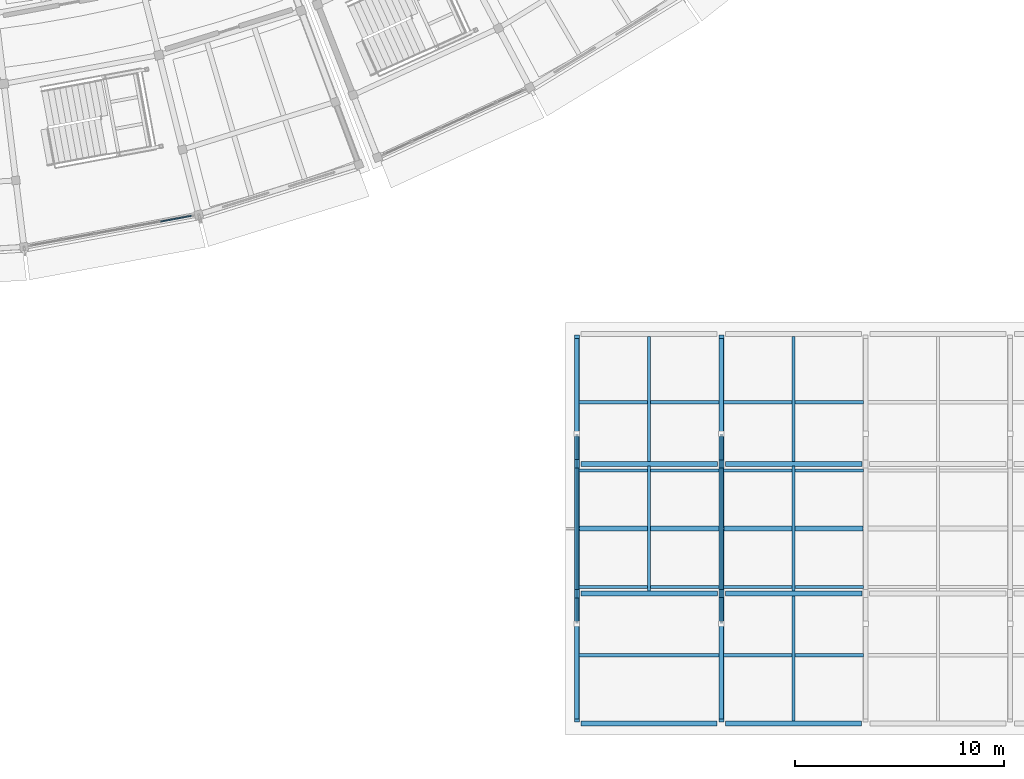
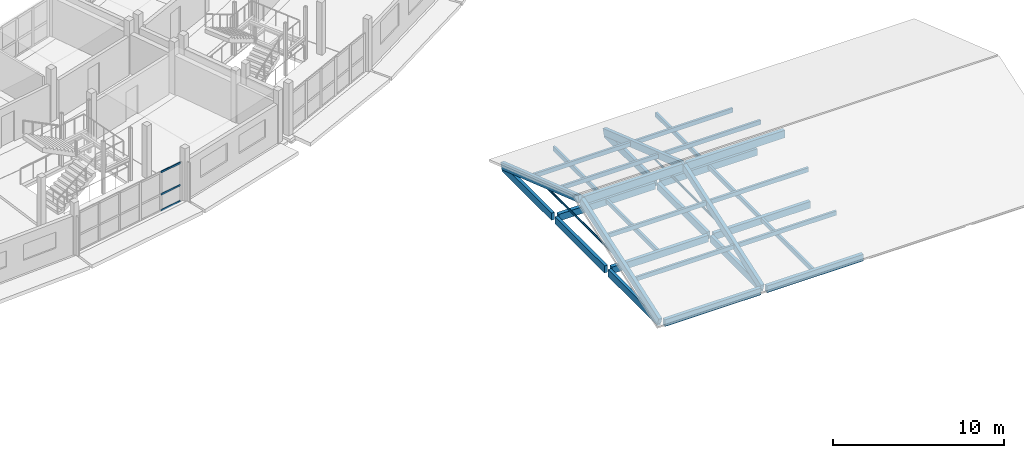
# One storey, part 23 of 66: 19 beams, 17 members, 1 element without a shape of its own.
"""IFC4 building model written with IfcOpenShell, lengths in metres."""

from ifc_helpers import new_model, si_unit, direction, frame, origin, origin_2d, place, context, subcontext, project, spatial, rectangle, hollow_circle, extrude, material, layer, layer_set, material_profile, profile_set, type_object, element, aggregate, save


model = new_model("IFC4")

# Units and contexts
model_context = context("Model", 3, precision=1e-05, world=origin(), true_north=direction((0.0, 1.0)))
body_context = subcontext(model_context, "Body", "Model", "MODEL_VIEW")
ifc_project = project(units=[si_unit("LENGTHUNIT", "METRE"), si_unit("AREAUNIT", "SQUARE_METRE"), si_unit("VOLUMEUNIT", "CUBIC_METRE"), si_unit("PLANEANGLEUNIT", "RADIAN"), si_unit("MASSUNIT", "GRAM", prefix="KILO")], contexts=[model_context])

# Site, building, storey
site_placement = place(None, origin())
site = spatial("IfcSite", under=ifc_project, at=site_placement, CompositionType="ELEMENT")
building_placement = place(site_placement, origin())
building = spatial("IfcBuilding", under=site, at=building_placement, Name="Caldaven Crescent School", CompositionType="ELEMENT")
storey_placement = place(building_placement, frame((0.0, 0.0, 8.159912109375)))
storey = spatial("IfcBuildingStorey", under=building, at=storey_placement, Name="L02", CompositionType="ELEMENT", Elevation=8.159912109375)

# Beams
ifc_material_1 = material(Name="Glulam MLE24h (GL28h)", Category="wood")
ifc_material_profile_1 = material_profile(ifc_material_1, rectangle(XDim=0.2099609375, YDim=0.510009765625, at=origin_2d()), Name="MLE 210x510")
ifc_profile_set_1 = profile_set([ifc_material_profile_1], Name="Glulam MLE24h (GL28h)")
beam_type_1 = type_object("IfcBeamType", Name="BM-GL51", PredefinedType="BEAM", material=ifc_profile_set_1)
for number, where, z_axis, x_axis, name in (
    (1, (122.89990234375, 4.405029296875, -0.474853515625), (0.0, 1.0, 0.0), (-1.0, 0.0, 0.0), "BMY-V3-L02-0520"),
    (2, (122.89990234375, 10.60498046875, -0.474853515625), (0.0, 1.0, 0.0), (-1.0, 0.0, 0.0), "BMY-V3-L02-0521"),
    (3, (122.89990234375, 16.804931640625, -0.474853515625), (0.0, 1.0, 0.0), (-1.0, 0.0, 0.0), "BMY-V3-L02-0522"),
):
    element("IfcBeam", number, at=place(storey_placement, frame(where, z_axis=z_axis, x_axis=x_axis)), inside=storey, type_object=beam_type_1, Name=name, PredefinedType="BEAM", context=body_context, shape_type="SweptSolid", body=[
        extrude(rectangle(XDim=0.2099609375, YDim=0.510009765625, at=origin_2d()), origin(), (0.0, 0.0, 1.0), 5.7900390625),
    ])
beam_1_placement = place(storey_placement, frame((129.800048828125, 4.405029296875, -0.474853515625), z_axis=(0.0, 1.0, 0.0), x_axis=(-1.0, 0.0, 0.0)))
element("IfcBeam", 4, at=beam_1_placement, inside=storey, type_object=beam_type_1, Name="BMY-V3-L02-0523", PredefinedType="BEAM", context=body_context, shape_type="SweptSolid", body=[
    extrude(rectangle(XDim=0.2099609375, YDim=0.510009765625, at=origin_2d()), origin(), (0.0, 0.0, 1.0), 5.804931640625),
])
beam_2_placement = place(storey_placement, frame((129.800048828125, 10.590087890625, -0.474853515625), z_axis=(0.0, 1.0, 0.0), x_axis=(-1.0, 0.0, 0.0)))
element("IfcBeam", 5, at=beam_2_placement, inside=storey, type_object=beam_type_1, Name="BMY-V3-L02-0524", PredefinedType="BEAM", context=body_context, shape_type="SweptSolid", body=[
    extrude(rectangle(XDim=0.2099609375, YDim=0.510009765625, at=origin_2d()), origin(), (0.0, 0.0, 1.0), 5.81982421875),
])
beam_3_placement = place(storey_placement, frame((129.800048828125, 16.7900390625, -0.474853515625), z_axis=(0.0, 1.0, 0.0), x_axis=(-1.0, 0.0, 0.0)))
element("IfcBeam", 6, at=beam_3_placement, inside=storey, type_object=beam_type_1, Name="BMY-V3-L02-0525", PredefinedType="BEAM", context=body_context, shape_type="SweptSolid", body=[
    extrude(rectangle(XDim=0.2099609375, YDim=0.510009765625, at=origin_2d()), origin(), (0.0, 0.0, 1.0), 5.804931640625),
])
ifc_material_profile_2 = material_profile(ifc_material_1, rectangle(XDim=0.239990234375, YDim=0.5400390625, at=origin_2d()), Name="MLE 240x540")
ifc_profile_set_2 = profile_set([ifc_material_profile_2], Name="Glulam MLE24h (GL28h)")
beam_type_2 = type_object("IfcBeamType", Name="BM-GL54", PredefinedType="BEAM", material=ifc_profile_set_2)
beam_4_placement = place(storey_placement, frame((123.02001953125, 13.5, 2.690185546875), z_axis=(1.0, 0.0, 0.0), x_axis=(0.0, 1.0, 0.0)))
element("IfcBeam", 7, at=beam_4_placement, inside=storey, type_object=beam_type_2, Name="RDG-V3-L02-0715", PredefinedType="BEAM", context=body_context, shape_type="SweptSolid", body=[
    extrude(rectangle(XDim=0.239990234375, YDim=0.5400390625, at=origin_2d()), origin(), (0.0, 0.0, 1.0), 6.659912109375),
])
beam_5_placement = place(storey_placement, frame((129.919921875, 13.5, 2.690185546875), z_axis=(1.0, 0.0, 0.0), x_axis=(0.0, 1.0, 0.0)))
element("IfcBeam", 8, at=beam_5_placement, inside=storey, type_object=beam_type_2, Name="RDG-V3-L02-0716", PredefinedType="BEAM", context=body_context, shape_type="SweptSolid", body=[
    extrude(rectangle(XDim=0.239990234375, YDim=0.5400390625, at=origin_2d()), origin(), (0.0, 0.0, 1.0), 6.66015625),
])

# Members
ifc_material_2 = material(Name="Steel ASTM A572 Grade 50", Category="steel")
ifc_material_profile_3 = material_profile(ifc_material_2, hollow_circle(Radius=0.06982421875, WallThickness=0.010009765625, at=origin_2d()), Name="CHS 139.7x10.0")
ifc_profile_set_3 = profile_set([ifc_material_profile_3], Name="Steel ASTM A572 Grade 50")
member_type_1 = type_object("IfcMemberType", Name="BR-CH14", PredefinedType="BRACE", material=ifc_profile_set_3)
for number, where, z_axis, x_axis, name in (
    (9, (122.89990234375, 8.969970703125, 1.16015625), (0.0, 1.0, 0.0), (-1.0, 0.0, 0.0), "TIE-V3-0"),
    (10, (129.800048828125, 8.969970703125, 1.16015625), (0.0, 1.0, 0.0), (-1.0, 0.0, 0.0), "TIE-V3-1"),
):
    element("IfcMember", number, at=place(storey_placement, frame(where, z_axis=z_axis, x_axis=x_axis)), inside=storey, type_object=member_type_1, Name=name, PredefinedType="BRACE", context=body_context, shape_type="SweptSolid", body=[
        extrude(hollow_circle(Radius=0.06982421875, WallThickness=0.010009765625, at=origin_2d()), origin(), (0.0, 0.0, 1.0), 9.06005859375),
    ])
ifc_material_profile_4 = material_profile(ifc_material_1, rectangle(XDim=0.239990234375, YDim=0.47998046875, at=origin_2d()), Name="MLE 240x480")
ifc_profile_set_4 = profile_set([ifc_material_profile_4], Name="Glulam MLE24h (GL28h)")
member_type_2 = type_object("IfcMemberType", Name="CH-GL48", PredefinedType="CHORD", material=ifc_profile_set_4)
for number, where, z_axis, x_axis, name in (
    (11, (122.89990234375, 4.332275390625, -0.394287109375), (0.0, 0.945593674135, 0.325349970702), (-1.0, 0.0, 0.0), "RAF-V3-0-S"),
    (12, (122.89990234375, 22.667724609375, -0.394287109375), (0.0, -0.945593674135, 0.325349970702), (1.0, 0.0, 0.0), "RAF-V3-0-N"),
    (13, (129.800048828125, 4.332275390625, -0.394287109375), (0.0, 0.945593674135, 0.325349970702), (-1.0, 0.0, 0.0), "RAF-V3-1-S"),
    (14, (129.800048828125, 22.667724609375, -0.394287109375), (0.0, -0.945593674135, 0.325349970702), (1.0, 0.0, 0.0), "RAF-V3-1-N"),
):
    element("IfcMember", number, at=place(storey_placement, frame(where, z_axis=z_axis, x_axis=x_axis)), inside=storey, type_object=member_type_2, Name=name, PredefinedType="CHORD", context=body_context, shape_type="SweptSolid", body=[
        extrude(rectangle(XDim=0.239990234375, YDim=0.47998046875, at=origin_2d()), origin(), (0.0, 0.0, 1.0), 9.59521484375),
    ])

# Curtain wall, members
ifc_material_3 = material(Name="Anodised aluminium AA 6063-T6 and low-E double glazing", Category="aluminium")
ifc_layer = layer(ifc_material_3, 0.169921875)
ifc_layer_set = layer_set([ifc_layer], Name="Anodised aluminium AA 6063-T6 and low-E double glazing")
curtain_wall_type = type_object("IfcCurtainWallType", Name="CW-SYS1", PredefinedType="NOTDEFINED", material=ifc_layer_set)
curtain_wall_placement = place(storey_placement, origin())
curtain_wall = element("IfcCurtainWall", 15, at=curtain_wall_placement, inside=storey, type_object=curtain_wall_type, Name="CW-L02-147", PredefinedType="NOTDEFINED")
ifc_material_4 = material(Name="Anodised aluminium AA 6063-T6", Category="aluminium")
ifc_material_profile_5 = material_profile(ifc_material_4, rectangle(XDim=0.06005859375, YDim=0.1201171875, at=origin_2d()), Name="CWT 60x120")
ifc_profile_set_5 = profile_set([ifc_material_profile_5], Name="Anodised aluminium AA 6063-T6")
member_type_3 = type_object("IfcMemberType", Name="CWT-T1", PredefinedType="USERDEFINED", material=ifc_profile_set_5)
member_1_placement = place(storey_placement, frame((103.00830078125, 28.17919921875, 0.030029296875), z_axis=(0.98325262173, 0.182247858315, 0.0), x_axis=(-0.182247858315, 0.98325262173, 0.0)))
member_1 = element("IfcMember", 16, at=member_1_placement, type_object=member_type_3, Name="CW1 transom 5.1", ObjectType="TRANSOM", PredefinedType="USERDEFINED", context=body_context, shape_type="SweptSolid", body=[
    extrude(rectangle(XDim=0.06005859375, YDim=0.1201171875, at=origin_2d()), origin(), (0.0, 0.0, 1.0), 1.48828125),
])
member_2_placement = place(storey_placement, frame((103.00830078125, 28.17919921875, 1.16796875), z_axis=(0.98325262173, 0.182247858315, 0.0), x_axis=(-0.182247858315, 0.98325262173, 0.0)))
member_2 = element("IfcMember", 17, at=member_2_placement, type_object=member_type_3, Name="CW1 transom 5.2", ObjectType="TRANSOM", PredefinedType="USERDEFINED", context=body_context, shape_type="SweptSolid", body=[
    extrude(rectangle(XDim=0.06005859375, YDim=0.1201171875, at=origin_2d()), origin(), (0.0, 0.0, 1.0), 1.48828125),
])
member_3_placement = place(storey_placement, frame((103.00830078125, 28.17919921875, 2.75), z_axis=(0.98325262173, 0.182247858315, 0.0), x_axis=(-0.182247858315, 0.98325262173, 0.0)))
member_3 = element("IfcMember", 18, at=member_3_placement, type_object=member_type_3, Name="CW1 transom 5.3", ObjectType="TRANSOM", PredefinedType="USERDEFINED", context=body_context, shape_type="SweptSolid", body=[
    extrude(rectangle(XDim=0.06005859375, YDim=0.1201171875, at=origin_2d()), origin(), (0.0, 0.0, 1.0), 1.48828125),
])
aggregate(curtain_wall, [member_1, member_2, member_3])

# Beams
ifc_material_profile_6 = material_profile(ifc_material_1, rectangle(XDim=0.14990234375, YDim=0.300048828125, at=origin_2d()), Name="MLE 150x300")
ifc_profile_set_6 = profile_set([ifc_material_profile_6], Name="Glulam MLE24h (GL28h)")
beam_type_3 = type_object("IfcBeamType", Name="JS-GL30", PredefinedType="JOIST", material=ifc_profile_set_6)
beam_6_placement = place(storey_placement, frame((126.35009765625, 10.514892578125, -0.369873046875), z_axis=(0.0, 1.0, 0.0), x_axis=(-1.0, 0.0, 0.0)))
element("IfcBeam", 19, at=beam_6_placement, inside=storey, type_object=beam_type_3, Name="JS-V3-L02-0535", PredefinedType="JOIST", context=body_context, shape_type="SweptSolid", body=[
    extrude(rectangle(XDim=0.14990234375, YDim=0.300048828125, at=origin_2d()), origin(), (0.0, 0.0, 1.0), 5.97021484375),
])
for number, where, z_axis, x_axis, name in (
    (20, (126.35009765625, 16.715087890625, -0.369873046875), (0.0, 1.0, 0.0), (-1.0, 0.0, 0.0), "JS-V3-L02-0536"),
    (21, (133.25, 4.31494140625, -0.369873046875), (0.0, 1.0, 0.0), (-1.0, 0.0, 0.0), "JS-V3-L02-0537"),
):
    element("IfcBeam", number, at=place(storey_placement, frame(where, z_axis=z_axis, x_axis=x_axis)), inside=storey, type_object=beam_type_3, Name=name, PredefinedType="JOIST", context=body_context, shape_type="SweptSolid", body=[
        extrude(rectangle(XDim=0.14990234375, YDim=0.300048828125, at=origin_2d()), origin(), (0.0, 0.0, 1.0), 5.969970703125),
    ])
beam_7_placement = place(storey_placement, frame((133.25, 10.514892578125, -0.369873046875), z_axis=(0.0, 1.0, 0.0), x_axis=(-1.0, 0.0, 0.0)))
element("IfcBeam", 22, at=beam_7_placement, inside=storey, type_object=beam_type_3, Name="JS-V3-L02-0538", PredefinedType="JOIST", context=body_context, shape_type="SweptSolid", body=[
    extrude(rectangle(XDim=0.14990234375, YDim=0.300048828125, at=origin_2d()), origin(), (0.0, 0.0, 1.0), 5.97021484375),
])
beam_8_placement = place(storey_placement, frame((133.25, 16.715087890625, -0.369873046875), z_axis=(0.0, 1.0, 0.0), x_axis=(-1.0, 0.0, 0.0)))
element("IfcBeam", 23, at=beam_8_placement, inside=storey, type_object=beam_type_3, Name="JS-V3-L02-0539", PredefinedType="JOIST", context=body_context, shape_type="SweptSolid", body=[
    extrude(rectangle(XDim=0.14990234375, YDim=0.300048828125, at=origin_2d()), origin(), (0.0, 0.0, 1.0), 5.969970703125),
])

# Members
ifc_material_profile_7 = material_profile(ifc_material_1, rectangle(XDim=0.14990234375, YDim=0.300048828125, at=origin_2d()), Name="MLE 150x300")
ifc_profile_set_7 = profile_set([ifc_material_profile_7], Name="Glulam MLE24h (GL28h)")
member_type_4 = type_object("IfcMemberType", Name="PR-GL30", PredefinedType="PURLIN", material=ifc_profile_set_7)
for number, where, z_axis, x_axis, name in (
    (24, (123.010009765625, 7.455078125, 0.68017578125), (1.0, 0.0, 0.0), (0.0, 1.0, 0.0), "PUR-V3-0--1-35"),
    (25, (123.010009765625, 19.544921875, 0.68017578125), (1.0, 0.0, 0.0), (0.0, 1.0, 0.0), "PUR-V3-0-1-35"),
    (26, (123.010009765625, 10.7099609375, 1.800048828125), (1.0, 0.0, 0.0), (0.0, 1.0, 0.0), "PUR-V3-0--1-70"),
    (27, (123.010009765625, 16.2900390625, 1.800048828125), (1.0, 0.0, 0.0), (0.0, 1.0, 0.0), "PUR-V3-0-1-70"),
):
    element("IfcMember", number, at=place(storey_placement, frame(where, z_axis=z_axis, x_axis=x_axis)), inside=storey, type_object=member_type_4, Name=name, PredefinedType="PURLIN", context=body_context, shape_type="SweptSolid", body=[
        extrude(rectangle(XDim=0.14990234375, YDim=0.300048828125, at=origin_2d()), origin(), (0.0, 0.0, 1.0), 6.679931640625),
    ])
for number, where, z_axis, x_axis, name in (
    (28, (129.909912109375, 7.455078125, 0.68017578125), (1.0, 0.0, 0.0), (0.0, 1.0, 0.0), "PUR-V3-1--1-35"),
    (29, (129.909912109375, 19.544921875, 0.68017578125), (1.0, 0.0, 0.0), (0.0, 1.0, 0.0), "PUR-V3-1-1-35"),
    (30, (129.909912109375, 10.7099609375, 1.800048828125), (1.0, 0.0, 0.0), (0.0, 1.0, 0.0), "PUR-V3-1--1-70"),
    (31, (129.909912109375, 16.2900390625, 1.800048828125), (1.0, 0.0, 0.0), (0.0, 1.0, 0.0), "PUR-V3-1-1-70"),
):
    element("IfcMember", number, at=place(storey_placement, frame(where, z_axis=z_axis, x_axis=x_axis)), inside=storey, type_object=member_type_4, Name=name, PredefinedType="PURLIN", context=body_context, shape_type="SweptSolid", body=[
        extrude(rectangle(XDim=0.14990234375, YDim=0.300048828125, at=origin_2d()), origin(), (0.0, 0.0, 1.0), 6.68017578125),
    ])

# Beams
ifc_material_profile_8 = material_profile(ifc_material_1, rectangle(XDim=0.239990234375, YDim=0.47998046875, at=origin_2d()), Name="MLE 240x480")
ifc_profile_set_8 = profile_set([ifc_material_profile_8], Name="Glulam MLE24h (GL28h)")
beam_type_4 = type_object("IfcBeamType", Name="SP-GL48", PredefinedType="SPANDREL", material=ifc_profile_set_8)
beam_9_placement = place(storey_placement, frame((123.10498046875, 4.199951171875, -0.4599609375), z_axis=(1.0, 0.0, 0.0), x_axis=(0.0, 1.0, 0.0)))
element("IfcBeam", 32, at=beam_9_placement, inside=storey, type_object=beam_type_4, Name="BMX-V3-L02-0504", PredefinedType="SPANDREL", context=body_context, shape_type="SweptSolid", body=[
    extrude(rectangle(XDim=0.239990234375, YDim=0.47998046875, at=origin_2d()), origin(), (0.0, 0.0, 1.0), 6.489990234375),
])
beam_10_placement = place(storey_placement, frame((130.0048828125, 4.199951171875, -0.4599609375), z_axis=(1.0, 0.0, 0.0), x_axis=(0.0, 1.0, 0.0)))
element("IfcBeam", 33, at=beam_10_placement, inside=storey, type_object=beam_type_4, Name="BMX-V3-L02-0505", PredefinedType="SPANDREL", context=body_context, shape_type="SweptSolid", body=[
    extrude(rectangle(XDim=0.239990234375, YDim=0.47998046875, at=origin_2d()), origin(), (0.0, 0.0, 1.0), 6.490234375),
])
beam_11_placement = place(storey_placement, frame((123.10498046875, 10.39990234375, -0.4599609375), z_axis=(1.0, 0.0, 0.0), x_axis=(0.0, 1.0, 0.0)))
element("IfcBeam", 34, at=beam_11_placement, inside=storey, type_object=beam_type_4, Name="BMX-V3-L02-0508", PredefinedType="SPANDREL", context=body_context, shape_type="SweptSolid", body=[
    extrude(rectangle(XDim=0.239990234375, YDim=0.47998046875, at=origin_2d()), origin(), (0.0, 0.0, 1.0), 6.505126953125),
])
beam_12_placement = place(storey_placement, frame((129.989990234375, 10.39990234375, -0.4599609375), z_axis=(1.0, 0.0, 0.0), x_axis=(0.0, 1.0, 0.0)))
element("IfcBeam", 35, at=beam_12_placement, inside=storey, type_object=beam_type_4, Name="BMX-V3-L02-0509", PredefinedType="SPANDREL", context=body_context, shape_type="SweptSolid", body=[
    extrude(rectangle(XDim=0.239990234375, YDim=0.47998046875, at=origin_2d()), origin(), (0.0, 0.0, 1.0), 6.52001953125),
])
beam_13_placement = place(storey_placement, frame((123.10498046875, 16.60009765625, -0.4599609375), z_axis=(1.0, 0.0, 0.0), x_axis=(0.0, 1.0, 0.0)))
element("IfcBeam", 36, at=beam_13_placement, inside=storey, type_object=beam_type_4, Name="BMX-V3-L02-0512", PredefinedType="SPANDREL", context=body_context, shape_type="SweptSolid", body=[
    extrude(rectangle(XDim=0.239990234375, YDim=0.47998046875, at=origin_2d()), origin(), (0.0, 0.0, 1.0), 6.505126953125),
])
beam_14_placement = place(storey_placement, frame((129.989990234375, 16.60009765625, -0.4599609375), z_axis=(1.0, 0.0, 0.0), x_axis=(0.0, 1.0, 0.0)))
element("IfcBeam", 37, at=beam_14_placement, inside=storey, type_object=beam_type_4, Name="BMX-V3-L02-0513", PredefinedType="SPANDREL", context=body_context, shape_type="SweptSolid", body=[
    extrude(rectangle(XDim=0.239990234375, YDim=0.47998046875, at=origin_2d()), origin(), (0.0, 0.0, 1.0), 6.52001953125),
])

save(model, "model.ifc")
